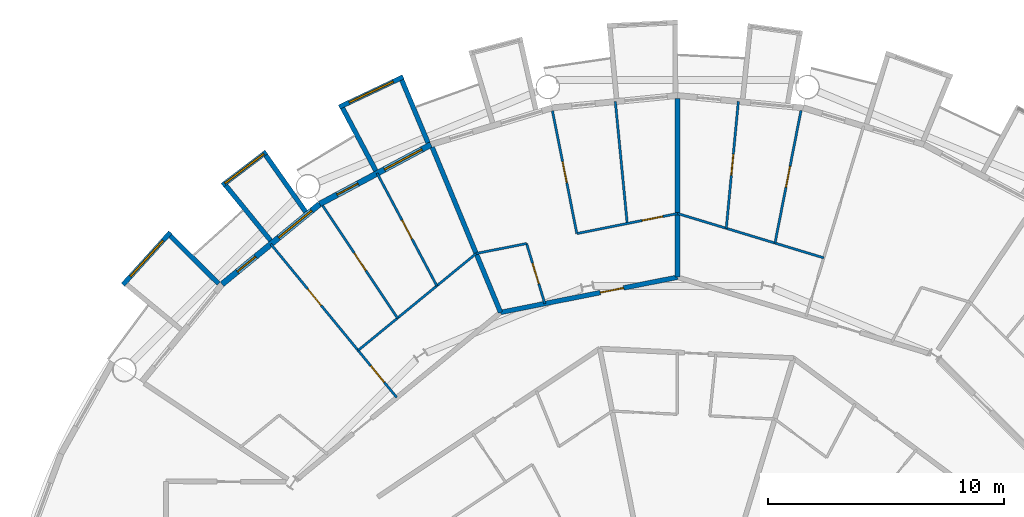
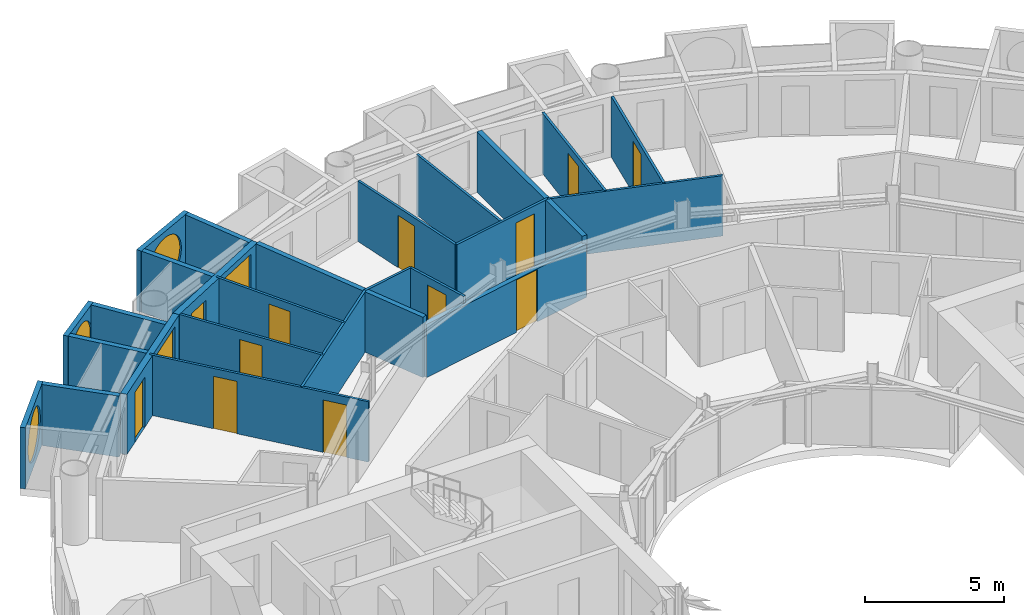
# One storey, part 19 of 25: 25 walls, 12 doors, 5 windows, 17 openings.
"""IFC4 building model written with IfcOpenShell, lengths in metres."""

from ifc_helpers import new_model, si_unit, direction, frame, frame_2d, origin, place, context, subcontext, project, spatial, rectangle, circle, extrude, material, layer, layer_set, type_object, element, fill, save


model = new_model("IFC4")

# Units and contexts
model_context = context("Model", 3, precision=1e-05, world=origin(), true_north=direction((0.0, 1.0)))
body_context = subcontext(model_context, "Body", "Model", "MODEL_VIEW")
ifc_project = project(units=[si_unit("LENGTHUNIT", "METRE"), si_unit("AREAUNIT", "SQUARE_METRE"), si_unit("VOLUMEUNIT", "CUBIC_METRE"), si_unit("PLANEANGLEUNIT", "RADIAN"), si_unit("MASSUNIT", "GRAM", prefix="KILO")], contexts=[model_context])

# Site, building, storey
site_placement = place(None, origin())
site = spatial("IfcSite", under=ifc_project, at=site_placement, CompositionType="ELEMENT")
building_placement = place(site_placement, origin())
building = spatial("IfcBuilding", under=site, at=building_placement, Name="Maasbend Ring Residences", CompositionType="ELEMENT")
storey_placement = place(building_placement, frame((0.0, 0.0, 94.10009765625)))
storey = spatial("IfcBuildingStorey", under=building, at=storey_placement, Name="L27", CompositionType="ELEMENT", Elevation=94.10009765625)

# Wall, opening, door
ifc_material_1 = material(Name="Concrete C30/37", Category="concrete")
ifc_layer_1 = layer(ifc_material_1, 0.199951171875)
ifc_layer_set_1 = layer_set([ifc_layer_1], Name="Concrete C30/37")
wall_type_1 = type_object("IfcWallType", Name="CORRIDOR WALL 200 CONCRETE", PredefinedType="PARTITIONING", material=ifc_layer_set_1)
wall_1_placement = place(storey_placement, frame((-7.5009765625, 18.10791015625, 0.0), z_axis=(0.0, 0.0, 1.0), x_axis=(0.980791233058, 0.195060393611, 0.0)))
wall_1 = element("IfcWall", 1, at=wall_1_placement, inside=storey, type_object=wall_type_1, Name="U-L27-w100", PredefinedType="PARTITIONING", context=body_context, shape_type="SweptSolid", body=[
    extrude(rectangle(XDim=7.64990234375, YDim=0.199951171875, at=frame_2d((3.824951171875, 0.0))), origin(), (0.0, 0.0, 1.0), 2.329833984375),
])
opening_1_placement = place(wall_1_placement, frame((4.31298828125, 0.0, 0.0)))
opening_1 = element("IfcOpeningElement", 2, at=opening_1_placement, cuts=wall_1, Name="Opening D-2711", PredefinedType="OPENING", context=body_context, shape_type="SweptSolid", body=[
    extrude(rectangle(XDim=1.0, YDim=2.300048828125, at=frame_2d((0.5, 1.14990234375))), frame((0.0, 0.10986328125, 0.0), z_axis=(0.0, -1.0, 0.0), x_axis=(1.0, 0.0, 0.0)), (0.0, 0.0, 1.0), 0.219970703125),
])
ifc_material_2 = material(Name="Timber, fire-rated, painted", Category="wood")
door_type_1 = type_object("IfcDoorType", Name="FLAT ENTRANCE DOOR 1000 X 2300 FIRE-RATED", OperationType="NOTDEFINED", PredefinedType="DOOR", material=ifc_material_2)
door_1_placement = place(opening_1_placement, origin())
door_1 = element("IfcDoor", 3, at=door_1_placement, inside=storey, type_object=door_type_1, Name="D-2711", OperationType="SINGLE_SWING_RIGHT", OverallHeight=2.300048828125, OverallWidth=1.0, PredefinedType="DOOR", context=body_context, shape_type="SweptSolid", body=[
    extrude(rectangle(XDim=1.0, YDim=2.300048828125, at=frame_2d((0.5, 1.14990234375))), frame((0.0, 0.02490234375, 0.0), z_axis=(0.0, -1.0, 0.0), x_axis=(1.0, 0.0, 0.0)), (0.0, 0.0, 1.0), 0.050048828125),
])
fill(opening_1, door_1)

# Wall, opening, window
ifc_material_3 = material(Name="Pale anodised aluminium panel", Category="aluminium")
ifc_layer_2 = layer(ifc_material_3, 0.199951171875)
ifc_layer_set_2 = layer_set([ifc_layer_2], Name="EW-BOX")
wall_type_2 = type_object("IfcWallType", Name="EW-BOX", PredefinedType="SOLIDWALL", material=ifc_layer_set_2)
wall_2_placement = place(storey_placement, frame((-11.62890625, 28.087890625, -0.030029296875), z_axis=(0.0, 0.0, 1.0), x_axis=(-0.904000060331, -0.427532327342, 0.0)))
wall_2 = element("IfcWall", 4, at=wall_2_placement, inside=storey, type_object=wall_type_2, Name="Box front N15", PredefinedType="SOLIDWALL", context=body_context, shape_type="SweptSolid", body=[
    extrude(rectangle(XDim=2.993408203125, YDim=0.199951171875, at=frame_2d((1.49658203125, 0.0))), origin(), (0.0, 0.0, 1.0), 2.679931640625),
])
opening_2_placement = place(wall_2_placement, frame((0.45654296875, 0.0, 0.330078125)))
opening_2 = element("IfcOpeningElement", 5, at=opening_2_placement, cuts=wall_2, Name="Opening W-RD", PredefinedType="OPENING", context=body_context, shape_type="SweptSolid", body=[
    extrude(circle(Radius=1.0400390625, at=frame_2d((1.0400390625, 1.0400390625))), frame((0.0, 0.10986328125, 0.0), z_axis=(0.0, -1.0, 0.0), x_axis=(1.0, 0.0, 0.0)), (0.0, 0.0, 1.0), 0.219970703125),
])
ifc_material_4 = material(Name="Aluminium and clear glass", Category="aluminium")
window_type_1 = type_object("IfcWindowType", Name="W-RD", PartitioningType="SINGLE_PANEL", PredefinedType="WINDOW", material=ifc_material_4)
window_1_placement = place(opening_2_placement, origin())
window_1 = element("IfcWindow", 6, at=window_1_placement, inside=storey, type_object=window_type_1, Name="Round window N15", OverallHeight=2.080078125, OverallWidth=2.080078125, PartitioningType="SINGLE_PANEL", PredefinedType="WINDOW", context=body_context, shape_type="SweptSolid", body=[
    extrude(circle(Radius=1.0400390625, at=frame_2d((1.0400390625, 1.0400390625))), frame((0.0, 0.030029296875, 0.0), z_axis=(0.0, -1.0, 0.0), x_axis=(1.0, 0.0, 0.0)), (0.0, 0.0, 1.0), 0.06005859375),
])
fill(opening_2, window_1)

# Walls
wall_3_placement = place(storey_placement, frame((-10.574951171875, 25.294921875, -0.030029296875), z_axis=(0.0, 0.0, 1.0), x_axis=(-0.385697364644, 0.922625353492, 0.0)))
element("IfcWall", 7, at=wall_3_placement, inside=storey, type_object=wall_type_2, Name="Box side wall N15 left", PredefinedType="SOLIDWALL", context=body_context, shape_type="SweptSolid", body=[
    extrude(rectangle(XDim=2.88330078125, YDim=0.199951171875, at=frame_2d((1.441650390625, 0.0))), origin(), (0.0, 0.0, 1.0), 2.679931640625),
])
wall_4_placement = place(storey_placement, frame((-12.787109375, 24.113037109375, -0.030029296875), z_axis=(0.0, 0.0, 1.0), x_axis=(-0.468365282436, 0.883534924159, 0.0)))
element("IfcWall", 8, at=wall_4_placement, inside=storey, type_object=wall_type_2, Name="Box side wall N15 right", PredefinedType="SOLIDWALL", context=body_context, shape_type="SweptSolid", body=[
    extrude(rectangle(XDim=3.006103515625, YDim=0.199951171875, at=frame_2d((1.5029296875, 0.0))), origin(), (0.0, 0.0, 1.0), 2.679931640625),
])

# Wall, opening, window
wall_5_placement = place(storey_placement, frame((-17.427001953125, 24.908935546875, -0.030029296875), z_axis=(0.0, 0.0, 1.0), x_axis=(-0.796842165306, -0.60418752353, 0.0)))
wall_5 = element("IfcWall", 9, at=wall_5_placement, inside=storey, type_object=wall_type_2, Name="Box front N17", PredefinedType="SOLIDWALL", context=body_context, shape_type="SweptSolid", body=[
    extrude(rectangle(XDim=2.3369140625, YDim=0.199951171875, at=frame_2d((1.16845703125, 0.0))), origin(), (0.0, 0.0, 1.0), 2.679931640625),
])
opening_3_placement = place(wall_5_placement, frame((0.128173828125, 0.0, 0.330078125)))
opening_3 = element("IfcOpeningElement", 10, at=opening_3_placement, cuts=wall_5, Name="Opening W-RD", PredefinedType="OPENING", context=body_context, shape_type="SweptSolid", body=[
    extrude(circle(Radius=1.0400390625, at=frame_2d((1.0400390625, 1.0400390625))), frame((0.0, 0.10986328125, 0.0), z_axis=(0.0, -1.0, 0.0), x_axis=(1.0, 0.0, 0.0)), (0.0, 0.0, 1.0), 0.219970703125),
])
window_2_placement = place(opening_3_placement, origin())
window_2 = element("IfcWindow", 11, at=window_2_placement, inside=storey, type_object=window_type_1, Name="Round window N17", OverallHeight=2.080078125, OverallWidth=2.080078125, PartitioningType="SINGLE_PANEL", PredefinedType="WINDOW", context=body_context, shape_type="SweptSolid", body=[
    extrude(circle(Radius=1.0400390625, at=frame_2d((1.0400390625, 1.0400390625))), frame((0.0, 0.030029296875, 0.0), z_axis=(0.0, -1.0, 0.0), x_axis=(1.0, 0.0, 0.0)), (0.0, 0.0, 1.0), 0.06005859375),
])
fill(opening_3, window_2)

# Walls
wall_6_placement = place(storey_placement, frame((-15.764892578125, 22.3701171875, -0.030029296875), z_axis=(0.0, 0.0, 1.0), x_axis=(-0.576274612209, 0.817256123454, 0.0)))
element("IfcWall", 12, at=wall_6_placement, inside=storey, type_object=wall_type_2, Name="Box side wall N17 left", PredefinedType="SOLIDWALL", context=body_context, shape_type="SweptSolid", body=[
    extrude(rectangle(XDim=2.932861328125, YDim=0.199951171875, at=frame_2d((1.46630859375, 0.0))), origin(), (0.0, 0.0, 1.0), 2.679931640625),
])
wall_7_placement = place(storey_placement, frame((-17.24609375, 21.155029296875, -0.030029296875), z_axis=(0.0, 0.0, 1.0), x_axis=(-0.631741648902, 0.775179004516, 0.0)))
element("IfcWall", 13, at=wall_7_placement, inside=storey, type_object=wall_type_2, Name="Box side wall N17 right", PredefinedType="SOLIDWALL", context=body_context, shape_type="SweptSolid", body=[
    extrude(rectangle(XDim=3.005859375, YDim=0.199951171875, at=frame_2d((1.5029296875, 0.0))), origin(), (0.0, 0.0, 1.0), 2.679931640625),
])

# Wall, opening, window
wall_8_placement = place(storey_placement, frame((-21.492919921875, 21.5, -0.030029296875), z_axis=(0.0, 0.0, 1.0), x_axis=(-0.671506829416, -0.740998365753, 0.0)))
wall_8 = element("IfcWall", 14, at=wall_8_placement, inside=storey, type_object=wall_type_2, Name="Box front N19", PredefinedType="SOLIDWALL", context=body_context, shape_type="SweptSolid", body=[
    extrude(rectangle(XDim=2.9931640625, YDim=0.199951171875, at=frame_2d((1.49658203125, 0.0))), origin(), (0.0, 0.0, 1.0), 2.679931640625),
])
opening_4_placement = place(wall_8_placement, frame((0.45654296875, 0.0, 0.330078125)))
opening_4 = element("IfcOpeningElement", 15, at=opening_4_placement, cuts=wall_8, Name="Opening W-RD", PredefinedType="OPENING", context=body_context, shape_type="SweptSolid", body=[
    extrude(circle(Radius=1.0400390625, at=frame_2d((1.0400390625, 1.0400390625))), frame((0.0, 0.10986328125, 0.0), z_axis=(0.0, -1.0, 0.0), x_axis=(1.0, 0.0, 0.0)), (0.0, 0.0, 1.0), 0.219970703125),
])
window_3_placement = place(opening_4_placement, origin())
window_3 = element("IfcWindow", 16, at=window_3_placement, inside=storey, type_object=window_type_1, Name="Round window N19", OverallHeight=2.080078125, OverallWidth=2.080078125, PartitioningType="SINGLE_PANEL", PredefinedType="WINDOW", context=body_context, shape_type="SweptSolid", body=[
    extrude(circle(Radius=1.0400390625, at=frame_2d((1.0400390625, 1.0400390625))), frame((0.0, 0.030029296875, 0.0), z_axis=(0.0, -1.0, 0.0), x_axis=(1.0, 0.0, 0.0)), (0.0, 0.0, 1.0), 0.06005859375),
])
fill(opening_4, window_3)

# Wall
wall_9_placement = place(storey_placement, frame((-19.449951171875, 19.322998046875, -0.030029296875), z_axis=(0.0, 0.0, 1.0), x_axis=(-0.709727076896, 0.704476739375, 0.0)))
element("IfcWall", 17, at=wall_9_placement, inside=storey, type_object=wall_type_2, Name="Box side wall N19 left", PredefinedType="SOLIDWALL", context=body_context, shape_type="SweptSolid", body=[
    extrude(rectangle(XDim=2.883056640625, YDim=0.199951171875, at=frame_2d((1.44140625, 0.0))), origin(), (0.0, 0.0, 1.0), 2.679931640625),
])

# Wall, openings, door, window
ifc_material_5 = material(Name="Aluminium clad insulated panel", Category="aluminium")
ifc_layer_3 = layer(ifc_material_5, 0.25)
ifc_layer_set_3 = layer_set([ifc_layer_3], Name="EW-GL")
wall_type_3 = type_object("IfcWallType", Name="EW-GL", PredefinedType="SOLIDWALL", material=ifc_layer_set_3)
wall_10_placement = place(storey_placement, frame((-10.447021484375, 25.221923828125, 0.0), z_axis=(0.0, 0.0, 1.0), x_axis=(-0.881915646801, -0.471407246368, 0.0)))
wall_10 = element("IfcWall", 18, at=wall_10_placement, inside=storey, type_object=wall_type_3, Name="External wall N08", PredefinedType="SOLIDWALL", context=body_context, shape_type="SweptSolid", body=[
    extrude(rectangle(XDim=5.35205078125, YDim=0.25, at=frame_2d((2.676025390625, 0.0))), origin(), (0.0, 0.0, 1.0), 2.64990234375),
])
opening_5_placement = place(wall_10_placement, frame((0.441162109375, 0.0, 0.300048828125)))
opening_5 = element("IfcOpeningElement", 19, at=opening_5_placement, cuts=wall_10, Name="Opening W-BX", PredefinedType="OPENING", context=body_context, shape_type="SweptSolid", body=[
    extrude(rectangle(XDim=1.800048828125, YDim=2.10009765625, at=frame_2d((0.89990234375, 1.050048828125))), frame((0.0, 0.135009765625, 0.0), z_axis=(0.0, -1.0, 0.0), x_axis=(1.0, 0.0, 0.0)), (0.0, 0.0, 1.0), 0.27001953125),
])
opening_6_placement = place(wall_10_placement, frame((3.510498046875, 0.0, 0.0)))
opening_6 = element("IfcOpeningElement", 20, at=opening_6_placement, cuts=wall_10, Name="Opening D-LG", PredefinedType="OPENING", context=body_context, shape_type="SweptSolid", body=[
    extrude(rectangle(XDim=1.0, YDim=2.199951171875, at=frame_2d((0.5, 1.10009765625))), frame((0.0, 0.135009765625, 0.0), z_axis=(0.0, -1.0, 0.0), x_axis=(1.0, 0.0, 0.0)), (0.0, 0.0, 1.0), 0.27001953125),
])
ifc_material_6 = material(Name="Aluminium and clear glass", Category="aluminium")
door_type_2 = type_object("IfcDoorType", Name="D-LG", OperationType="SINGLE_SWING_LEFT", PredefinedType="DOOR", material=ifc_material_6)
door_2_placement = place(opening_6_placement, origin())
door_2 = element("IfcDoor", 21, at=door_2_placement, inside=storey, type_object=door_type_2, Name="Loggia door N16", OperationType="SINGLE_SWING_LEFT", OverallHeight=2.199951171875, OverallWidth=1.0, PredefinedType="DOOR", context=body_context, shape_type="SweptSolid", body=[
    extrude(rectangle(XDim=1.0, YDim=2.199951171875, at=frame_2d((0.5, 1.10009765625))), frame((0.0, 0.02490234375, 0.0), z_axis=(0.0, -1.0, 0.0), x_axis=(1.0, 0.0, 0.0)), (0.0, 0.0, 1.0), 0.050048828125),
])
fill(opening_6, door_2)
ifc_material_7 = material(Name="Aluminium and clear glass", Category="aluminium")
window_type_2 = type_object("IfcWindowType", Name="W-BX", PartitioningType="DOUBLE_PANEL_VERTICAL", PredefinedType="WINDOW", material=ifc_material_7)
window_4_placement = place(opening_5_placement, origin())
window_4 = element("IfcWindow", 22, at=window_4_placement, inside=storey, type_object=window_type_2, Name="Window N15 room to box", OverallHeight=2.10009765625, OverallWidth=1.800048828125, PartitioningType="SINGLE_PANEL", PredefinedType="WINDOW", context=body_context, shape_type="SweptSolid", body=[
    extrude(rectangle(XDim=1.800048828125, YDim=2.10009765625, at=frame_2d((0.89990234375, 1.050048828125))), frame((0.0, 0.030029296875, 0.0), z_axis=(0.0, -1.0, 0.0), x_axis=(1.0, 0.0, 0.0)), (0.0, 0.0, 1.0), 0.06005859375),
])
fill(opening_5, window_4)

wall_11_placement = place(storey_placement, frame((-15.1669921875, 22.698974609375, 0.0), z_axis=(0.0, 0.0, 1.0), x_axis=(-0.773019449054, -0.634382322723, 0.0)))
wall_11 = element("IfcWall", 23, at=wall_11_placement, inside=storey, type_object=wall_type_3, Name="External wall N09", PredefinedType="SOLIDWALL", context=body_context, shape_type="SweptSolid", body=[
    extrude(rectangle(XDim=5.351806640625, YDim=0.25, at=frame_2d((2.67578125, 0.0))), origin(), (0.0, 0.0, 1.0), 2.64990234375),
])
opening_7_placement = place(wall_11_placement, frame((0.441162109375, 0.0, 0.300048828125)))
opening_7 = element("IfcOpeningElement", 24, at=opening_7_placement, cuts=wall_11, Name="Opening W-BX", PredefinedType="OPENING", context=body_context, shape_type="SweptSolid", body=[
    extrude(rectangle(XDim=1.800048828125, YDim=2.10009765625, at=frame_2d((0.89990234375, 1.050048828125))), frame((0.0, 0.135009765625, 0.0), z_axis=(0.0, -1.0, 0.0), x_axis=(1.0, 0.0, 0.0)), (0.0, 0.0, 1.0), 0.27001953125),
])
opening_8_placement = place(wall_11_placement, frame((3.510498046875, 0.0, 0.0)))
opening_8 = element("IfcOpeningElement", 25, at=opening_8_placement, cuts=wall_11, Name="Opening D-LG", PredefinedType="OPENING", context=body_context, shape_type="SweptSolid", body=[
    extrude(rectangle(XDim=1.0, YDim=2.199951171875, at=frame_2d((0.5, 1.10009765625))), frame((0.0, 0.135009765625, 0.0), z_axis=(0.0, -1.0, 0.0), x_axis=(1.0, 0.0, 0.0)), (0.0, 0.0, 1.0), 0.27001953125),
])
door_3_placement = place(opening_8_placement, origin())
door_3 = element("IfcDoor", 26, at=door_3_placement, inside=storey, type_object=door_type_2, Name="Loggia door N18", OperationType="SINGLE_SWING_LEFT", OverallHeight=2.199951171875, OverallWidth=1.0, PredefinedType="DOOR", context=body_context, shape_type="SweptSolid", body=[
    extrude(rectangle(XDim=1.0, YDim=2.199951171875, at=frame_2d((0.5, 1.10009765625))), frame((0.0, 0.02490234375, 0.0), z_axis=(0.0, -1.0, 0.0), x_axis=(1.0, 0.0, 0.0)), (0.0, 0.0, 1.0), 0.050048828125),
])
fill(opening_8, door_3)
window_5_placement = place(opening_7_placement, origin())
window_5 = element("IfcWindow", 27, at=window_5_placement, inside=storey, type_object=window_type_2, Name="Window N17 room to box", OverallHeight=2.10009765625, OverallWidth=1.800048828125, PartitioningType="SINGLE_PANEL", PredefinedType="WINDOW", context=body_context, shape_type="SweptSolid", body=[
    extrude(rectangle(XDim=1.800048828125, YDim=2.10009765625, at=frame_2d((0.89990234375, 1.050048828125))), frame((0.0, 0.030029296875, 0.0), z_axis=(0.0, -1.0, 0.0), x_axis=(1.0, 0.0, 0.0)), (0.0, 0.0, 1.0), 0.06005859375),
])
fill(opening_7, window_5)

# Wall, openings, doors
ifc_material_8 = material(Name="Gypsum board on steel studs", Category="steel")
ifc_layer_4 = layer(ifc_material_8, 0.10009765625)
ifc_layer_set_4 = layer_set([ifc_layer_4], Name="PARTITION 100 GYPSUM")
wall_type_4 = type_object("IfcWallType", Name="PARTITION 100 GYPSUM", PredefinedType="PARTITIONING", material=ifc_layer_set_4)
wall_12_placement = place(storey_placement, frame((-17.239990234375, 21.007080078125, 0.0), z_axis=(0.0, 0.0, 1.0), x_axis=(0.634396151441, -0.77300810024, 0.0)))
wall_12 = element("IfcWall", 28, at=wall_12_placement, inside=storey, type_object=wall_type_4, Name="U-L27-w033", PredefinedType="PARTITIONING", context=body_context, shape_type="SweptSolid", body=[
    extrude(rectangle(XDim=8.419189453125, YDim=0.10009765625, at=frame_2d((4.20947265625, 0.0))), origin(), (0.0, 0.0, 1.0), 2.64990234375),
])
opening_9_placement = place(wall_12_placement, frame((6.678955078125, 0.0, 0.0)))
opening_9 = element("IfcOpeningElement", 29, at=opening_9_placement, cuts=wall_12, Name="Opening D-2717", PredefinedType="OPENING", context=body_context, shape_type="SweptSolid", body=[
    extrude(rectangle(XDim=0.89990234375, YDim=2.300048828125, at=frame_2d((0.449951171875, 1.14990234375))), frame((0.0, 0.06005859375, 0.0), z_axis=(0.0, -1.0, 0.0), x_axis=(1.0, 0.0, 0.0)), (0.0, 0.0, 1.0), 0.1201171875),
])
opening_10_placement = place(wall_12_placement, frame((2.468017578125, 0.0, 0.0)))
opening_10 = element("IfcOpeningElement", 30, at=opening_10_placement, cuts=wall_12, Name="Opening D-2718", PredefinedType="OPENING", context=body_context, shape_type="SweptSolid", body=[
    extrude(rectangle(XDim=0.89990234375, YDim=2.300048828125, at=frame_2d((0.449951171875, 1.14990234375))), frame((0.0, 0.06005859375, 0.0), z_axis=(0.0, -1.0, 0.0), x_axis=(1.0, 0.0, 0.0)), (0.0, 0.0, 1.0), 0.1201171875),
])
ifc_material_9 = material(Name="Timber, painted", Category="wood")
door_type_3 = type_object("IfcDoorType", Name="INTERNAL DOOR 900 X 2300", OperationType="NOTDEFINED", PredefinedType="DOOR", material=ifc_material_9)
door_4_placement = place(opening_9_placement, origin())
door_4 = element("IfcDoor", 31, at=door_4_placement, inside=storey, type_object=door_type_3, Name="D-2717", OperationType="SINGLE_SWING_RIGHT", OverallHeight=2.300048828125, OverallWidth=0.89990234375, PredefinedType="DOOR", context=body_context, shape_type="SweptSolid", body=[
    extrude(rectangle(XDim=0.89990234375, YDim=2.300048828125, at=frame_2d((0.449951171875, 1.14990234375))), frame((0.0, 0.02490234375, 0.0), z_axis=(0.0, -1.0, 0.0), x_axis=(1.0, 0.0, 0.0)), (0.0, 0.0, 1.0), 0.050048828125),
])
fill(opening_9, door_4)
door_5_placement = place(opening_10_placement, origin())
door_5 = element("IfcDoor", 32, at=door_5_placement, inside=storey, type_object=door_type_3, Name="D-2718", OperationType="SINGLE_SWING_LEFT", OverallHeight=2.300048828125, OverallWidth=0.89990234375, PredefinedType="DOOR", context=body_context, shape_type="SweptSolid", body=[
    extrude(rectangle(XDim=0.89990234375, YDim=2.300048828125, at=frame_2d((0.449951171875, 1.14990234375))), frame((0.0, 0.02490234375, 0.0), z_axis=(0.0, -1.0, 0.0), x_axis=(1.0, 0.0, 0.0)), (0.0, 0.0, 1.0), 0.050048828125),
])
fill(opening_10, door_5)

# Wall, opening, door
wall_13_placement = place(storey_placement, frame((-15.0390625, 22.634033203125, 0.0), z_axis=(0.0, 0.0, 1.0), x_axis=(0.553440102418, -0.832888980018, 0.0)))
wall_13 = element("IfcWall", 33, at=wall_13_placement, inside=storey, type_object=wall_type_4, Name="U-L27-w035", PredefinedType="PARTITIONING", context=body_context, shape_type="SweptSolid", body=[
    extrude(rectangle(XDim=5.725830078125, YDim=0.10009765625, at=frame_2d((2.86279296875, 0.0))), origin(), (0.0, 0.0, 1.0), 2.64990234375),
])
opening_11_placement = place(wall_13_placement, frame((2.4130859375, 0.0, 0.0)))
opening_11 = element("IfcOpeningElement", 34, at=opening_11_placement, cuts=wall_13, Name="Opening D-2719", PredefinedType="OPENING", context=body_context, shape_type="SweptSolid", body=[
    extrude(rectangle(XDim=0.89990234375, YDim=2.300048828125, at=frame_2d((0.449951171875, 1.14990234375))), frame((0.0, 0.06005859375, 0.0), z_axis=(0.0, -1.0, 0.0), x_axis=(1.0, 0.0, 0.0)), (0.0, 0.0, 1.0), 0.1201171875),
])
door_6_placement = place(opening_11_placement, origin())
door_6 = element("IfcDoor", 35, at=door_6_placement, inside=storey, type_object=door_type_3, Name="D-2719", OperationType="SINGLE_SWING_RIGHT", OverallHeight=2.300048828125, OverallWidth=0.89990234375, PredefinedType="DOOR", context=body_context, shape_type="SweptSolid", body=[
    extrude(rectangle(XDim=0.89990234375, YDim=2.300048828125, at=frame_2d((0.449951171875, 1.14990234375))), frame((0.0, 0.02490234375, 0.0), z_axis=(0.0, -1.0, 0.0), x_axis=(1.0, 0.0, 0.0)), (0.0, 0.0, 1.0), 0.050048828125),
])
fill(opening_11, door_6)

wall_14_placement = place(storey_placement, frame((-12.73388671875, 24.007080078125, 0.0), z_axis=(0.0, 0.0, 1.0), x_axis=(0.468610030042, -0.883405139075, 0.0)))
wall_14 = element("IfcWall", 36, at=wall_14_placement, inside=storey, type_object=wall_type_4, Name="U-L27-w036", PredefinedType="PARTITIONING", context=body_context, shape_type="SweptSolid", body=[
    extrude(rectangle(XDim=5.403076171875, YDim=0.10009765625, at=frame_2d((2.70166015625, 0.0))), origin(), (0.0, 0.0, 1.0), 2.64990234375),
])
opening_12_placement = place(wall_14_placement, frame((2.251953125, 0.0, 0.0)))
opening_12 = element("IfcOpeningElement", 37, at=opening_12_placement, cuts=wall_14, Name="Opening D-2720", PredefinedType="OPENING", context=body_context, shape_type="SweptSolid", body=[
    extrude(rectangle(XDim=0.89990234375, YDim=2.300048828125, at=frame_2d((0.449951171875, 1.14990234375))), frame((0.0, 0.06005859375, 0.0), z_axis=(0.0, -1.0, 0.0), x_axis=(1.0, 0.0, 0.0)), (0.0, 0.0, 1.0), 0.1201171875),
])
door_7_placement = place(opening_12_placement, origin())
door_7 = element("IfcDoor", 38, at=door_7_placement, inside=storey, type_object=door_type_3, Name="D-2720", OperationType="SINGLE_SWING_LEFT", OverallHeight=2.300048828125, OverallWidth=0.89990234375, PredefinedType="DOOR", context=body_context, shape_type="SweptSolid", body=[
    extrude(rectangle(XDim=0.89990234375, YDim=2.300048828125, at=frame_2d((0.449951171875, 1.14990234375))), frame((0.0, 0.02490234375, 0.0), z_axis=(0.0, -1.0, 0.0), x_axis=(1.0, 0.0, 0.0)), (0.0, 0.0, 1.0), 0.050048828125),
])
fill(opening_12, door_7)

wall_15_placement = place(storey_placement, frame((-6.39990234375, 21.027099609375, 0.0), z_axis=(0.0, 0.0, 1.0), x_axis=(0.291157965538, -0.956674991365, 0.0)))
wall_15 = element("IfcWall", 39, at=wall_15_placement, inside=storey, type_object=wall_type_4, Name="U-L27-w043", PredefinedType="PARTITIONING", context=body_context, shape_type="SweptSolid", body=[
    extrude(rectangle(XDim=2.661376953125, YDim=0.10009765625, at=frame_2d((1.33056640625, 0.0))), origin(), (0.0, 0.0, 1.0), 2.64990234375),
])
opening_13_placement = place(wall_15_placement, frame((0.881103515625, 0.0, 0.0)))
opening_13 = element("IfcOpeningElement", 40, at=opening_13_placement, cuts=wall_15, Name="Opening D-2712", PredefinedType="OPENING", context=body_context, shape_type="SweptSolid", body=[
    extrude(rectangle(XDim=0.89990234375, YDim=2.300048828125, at=frame_2d((0.449951171875, 1.14990234375))), frame((0.0, 0.06005859375, 0.0), z_axis=(0.0, -1.0, 0.0), x_axis=(1.0, 0.0, 0.0)), (0.0, 0.0, 1.0), 0.1201171875),
])
door_8_placement = place(opening_13_placement, origin())
door_8 = element("IfcDoor", 41, at=door_8_placement, inside=storey, type_object=door_type_3, Name="D-2712", OperationType="SINGLE_SWING_RIGHT", OverallHeight=2.300048828125, OverallWidth=0.89990234375, PredefinedType="DOOR", context=body_context, shape_type="SweptSolid", body=[
    extrude(rectangle(XDim=0.89990234375, YDim=2.300048828125, at=frame_2d((0.449951171875, 1.14990234375))), frame((0.0, 0.02490234375, 0.0), z_axis=(0.0, -1.0, 0.0), x_axis=(1.0, 0.0, 0.0)), (0.0, 0.0, 1.0), 0.050048828125),
])
fill(opening_13, door_8)

wall_16_placement = place(storey_placement, frame((-5.302001953125, 26.653076171875, 0.0), z_axis=(0.0, 0.0, 1.0), x_axis=(0.195115793364, -0.980780213493, 0.0)))
wall_16 = element("IfcWall", 42, at=wall_16_placement, inside=storey, type_object=wall_type_4, Name="U-L27-w049", PredefinedType="PARTITIONING", context=body_context, shape_type="SweptSolid", body=[
    extrude(rectangle(XDim=5.30419921875, YDim=0.10009765625, at=frame_2d((2.652099609375, 0.0))), origin(), (0.0, 0.0, 1.0), 2.64990234375),
])
opening_14_placement = place(wall_16_placement, frame((2.201904296875, 0.0, 0.0)))
opening_14 = element("IfcOpeningElement", 43, at=opening_14_placement, cuts=wall_16, Name="Opening D-2713", PredefinedType="OPENING", context=body_context, shape_type="SweptSolid", body=[
    extrude(rectangle(XDim=0.89990234375, YDim=2.300048828125, at=frame_2d((0.449951171875, 1.14990234375))), frame((0.0, 0.06005859375, 0.0), z_axis=(0.0, -1.0, 0.0), x_axis=(1.0, 0.0, 0.0)), (0.0, 0.0, 1.0), 0.1201171875),
])
door_9_placement = place(opening_14_placement, origin())
door_9 = element("IfcDoor", 44, at=door_9_placement, inside=storey, type_object=door_type_3, Name="D-2713", OperationType="SINGLE_SWING_LEFT", OverallHeight=2.300048828125, OverallWidth=0.89990234375, PredefinedType="DOOR", context=body_context, shape_type="SweptSolid", body=[
    extrude(rectangle(XDim=0.89990234375, YDim=2.300048828125, at=frame_2d((0.449951171875, 1.14990234375))), frame((0.0, 0.02490234375, 0.0), z_axis=(0.0, -1.0, 0.0), x_axis=(1.0, 0.0, 0.0)), (0.0, 0.0, 1.0), 0.050048828125),
])
fill(opening_14, door_9)

# Wall
wall_17_placement = place(storey_placement, frame((-2.637939453125, 27.047119140625, 0.0), z_axis=(0.0, 0.0, 1.0), x_axis=(0.097172620677, -0.99526754282, 0.0)))
element("IfcWall", 45, at=wall_17_placement, inside=storey, type_object=wall_type_4, Name="U-L27-w052", PredefinedType="PARTITIONING", context=body_context, shape_type="SweptSolid", body=[
    extrude(rectangle(XDim=5.19580078125, YDim=0.10009765625, at=frame_2d((2.597900390625, 0.0))), origin(), (0.0, 0.0, 1.0), 2.64990234375),
])

# Wall, opening, door
wall_18_placement = place(storey_placement, frame((2.06494140625, 21.674072265625, 0.0), z_axis=(0.0, 0.0, 1.0), x_axis=(0.094751520537, 0.99550095397, 0.0)))
wall_18 = element("IfcWall", 46, at=wall_18_placement, inside=storey, type_object=wall_type_4, Name="U-L27-w062", PredefinedType="PARTITIONING", context=body_context, shape_type="SweptSolid", body=[
    extrude(rectangle(XDim=5.4033203125, YDim=0.10009765625, at=frame_2d((2.70166015625, 0.0))), origin(), (0.0, 0.0, 1.0), 2.64990234375),
])
opening_15_placement = place(wall_18_placement, frame((2.251953125, 0.0, 0.0)))
opening_15 = element("IfcOpeningElement", 47, at=opening_15_placement, cuts=wall_18, Name="Opening D-2710", PredefinedType="OPENING", context=body_context, shape_type="SweptSolid", body=[
    extrude(rectangle(XDim=0.89990234375, YDim=2.300048828125, at=frame_2d((0.449951171875, 1.14990234375))), frame((0.0, 0.06005859375, 0.0), z_axis=(0.0, -1.0, 0.0), x_axis=(1.0, 0.0, 0.0)), (0.0, 0.0, 1.0), 0.1201171875),
])
door_10_placement = place(opening_15_placement, origin())
door_10 = element("IfcDoor", 48, at=door_10_placement, inside=storey, type_object=door_type_3, Name="D-2710", OperationType="SINGLE_SWING_LEFT", OverallHeight=2.300048828125, OverallWidth=0.89990234375, PredefinedType="DOOR", context=body_context, shape_type="SweptSolid", body=[
    extrude(rectangle(XDim=0.89990234375, YDim=2.300048828125, at=frame_2d((0.449951171875, 1.14990234375))), frame((0.0, 0.02490234375, 0.0), z_axis=(0.0, -1.0, 0.0), x_axis=(1.0, 0.0, 0.0)), (0.0, 0.0, 1.0), 0.050048828125),
])
fill(opening_15, door_10)

wall_19_placement = place(storey_placement, frame((4.1298828125, 21.047119140625, 0.0), z_axis=(0.0, 0.0, 1.0), x_axis=(0.192433779325, 0.981309961518, 0.0)))
wall_19 = element("IfcWall", 49, at=wall_19_placement, inside=storey, type_object=wall_type_4, Name="U-L27-w066", PredefinedType="PARTITIONING", context=body_context, shape_type="SweptSolid", body=[
    extrude(rectangle(XDim=5.726806640625, YDim=0.10009765625, at=frame_2d((2.86328125, 0.0))), origin(), (0.0, 0.0, 1.0), 2.64990234375),
])
opening_16_placement = place(wall_19_placement, frame((2.4140625, 0.0, 0.0)))
opening_16 = element("IfcOpeningElement", 50, at=opening_16_placement, cuts=wall_19, Name="Opening D-2709", PredefinedType="OPENING", context=body_context, shape_type="SweptSolid", body=[
    extrude(rectangle(XDim=0.89990234375, YDim=2.300048828125, at=frame_2d((0.449951171875, 1.14990234375))), frame((0.0, 0.06005859375, 0.0), z_axis=(0.0, -1.0, 0.0), x_axis=(1.0, 0.0, 0.0)), (0.0, 0.0, 1.0), 0.1201171875),
])
door_11_placement = place(opening_16_placement, origin())
door_11 = element("IfcDoor", 51, at=door_11_placement, inside=storey, type_object=door_type_3, Name="D-2709", OperationType="SINGLE_SWING_RIGHT", OverallHeight=2.300048828125, OverallWidth=0.89990234375, PredefinedType="DOOR", context=body_context, shape_type="SweptSolid", body=[
    extrude(rectangle(XDim=0.89990234375, YDim=2.300048828125, at=frame_2d((0.449951171875, 1.14990234375))), frame((0.0, 0.02490234375, 0.0), z_axis=(0.0, -1.0, 0.0), x_axis=(1.0, 0.0, 0.0)), (0.0, 0.0, 1.0), 0.050048828125),
])
fill(opening_16, door_11)

# Walls
wall_20_placement = place(storey_placement, frame((-13.5380859375, 16.49609375, 0.0), z_axis=(0.0, 0.0, 1.0), x_axis=(0.773000340237, 0.634405606843, 0.0)))
element("IfcWall", 52, at=wall_20_placement, inside=storey, type_object=wall_type_4, Name="U-L27-w103", PredefinedType="PARTITIONING", context=body_context, shape_type="SweptSolid", body=[
    extrude(rectangle(XDim=6.4736328125, YDim=0.10009765625, at=frame_2d((3.23681640625, 0.0))), origin(), (0.0, 0.0, 1.0), 2.64990234375),
])
wall_21_placement = place(storey_placement, frame((-0.00390625, 22.299072265625, 0.0), z_axis=(0.0, 0.0, 1.0), x_axis=(0.95699555343, -0.290102586537, 0.0)))
element("IfcWall", 53, at=wall_21_placement, inside=storey, type_object=wall_type_4, Name="U-L27-w104", PredefinedType="PARTITIONING", context=body_context, shape_type="SweptSolid", body=[
    extrude(rectangle(XDim=6.4775390625, YDim=0.10009765625, at=frame_2d((3.23876953125, 0.0))), origin(), (0.0, 0.0, 1.0), 2.64990234375),
])
wall_22_placement = place(storey_placement, frame((-8.533935546875, 20.60302734375, 0.0), z_axis=(0.0, 0.0, 1.0), x_axis=(0.980821612706, 0.194907578226, 0.0)))
element("IfcWall", 54, at=wall_22_placement, inside=storey, type_object=wall_type_4, Name="U-L27-w108", PredefinedType="PARTITIONING", context=body_context, shape_type="SweptSolid", body=[
    extrude(rectangle(XDim=2.17578125, YDim=0.10009765625, at=frame_2d((1.087890625, 0.0))), origin(), (0.0, 0.0, 1.0), 2.64990234375),
])

# Wall, opening, door
wall_23_placement = place(storey_placement, frame((-4.260986328125, 21.451904296875, 0.0), z_axis=(0.0, 0.0, 1.0), x_axis=(0.980819753929, 0.194916931799, 0.0)))
wall_23 = element("IfcWall", 55, at=wall_23_placement, inside=storey, type_object=wall_type_4, Name="U-L27-w109", PredefinedType="PARTITIONING", context=body_context, shape_type="SweptSolid", body=[
    extrude(rectangle(XDim=4.34619140625, YDim=0.10009765625, at=frame_2d((2.173095703125, 0.0))), origin(), (0.0, 0.0, 1.0), 2.64990234375),
])
opening_17_placement = place(wall_23_placement, frame((2.806884765625, 0.0, 0.0)))
opening_17 = element("IfcOpeningElement", 56, at=opening_17_placement, cuts=wall_23, Name="Opening D-2714", PredefinedType="OPENING", context=body_context, shape_type="SweptSolid", body=[
    extrude(rectangle(XDim=0.89990234375, YDim=2.300048828125, at=frame_2d((0.449951171875, 1.14990234375))), frame((0.0, 0.06005859375, 0.0), z_axis=(0.0, -1.0, 0.0), x_axis=(1.0, 0.0, 0.0)), (0.0, 0.0, 1.0), 0.1201171875),
])
door_12_placement = place(opening_17_placement, origin())
door_12 = element("IfcDoor", 57, at=door_12_placement, inside=storey, type_object=door_type_3, Name="D-2714", OperationType="SINGLE_SWING_RIGHT", OverallHeight=2.300048828125, OverallWidth=0.89990234375, PredefinedType="DOOR", context=body_context, shape_type="SweptSolid", body=[
    extrude(rectangle(XDim=0.89990234375, YDim=2.300048828125, at=frame_2d((0.449951171875, 1.14990234375))), frame((0.0, 0.02490234375, 0.0), z_axis=(0.0, -1.0, 0.0), x_axis=(1.0, 0.0, 0.0)), (0.0, 0.0, 1.0), 0.050048828125),
])
fill(opening_17, door_12)

# Walls
ifc_material_10 = material(Name="Concrete C30/37", Category="concrete")
ifc_layer_5 = layer(ifc_material_10, 0.199951171875)
ifc_layer_set_5 = layer_set([ifc_layer_5], Name="Concrete C30/37")
wall_type_5 = type_object("IfcWallType", Name="PARTY WALL 200 CONCRETE", PredefinedType="PARTITIONING", material=ifc_layer_set_5)
wall_24_placement = place(storey_placement, frame((-10.39794921875, 25.10595703125, 0.0), z_axis=(0.0, 0.0, 1.0), x_axis=(0.382490346157, -0.923959487801, 0.0)))
element("IfcWall", 58, at=wall_24_placement, inside=storey, type_object=wall_type_5, Name="U-L27-w038", PredefinedType="PARTITIONING", context=body_context, shape_type="SweptSolid", body=[
    extrude(rectangle(XDim=7.573974609375, YDim=0.199951171875, at=frame_2d((3.787109375, 0.0))), origin(), (0.0, 0.0, 1.0), 2.64990234375),
])
wall_25_placement = place(storey_placement, frame((0.0, 19.60009765625, 0.0), z_axis=(0.0, 0.0, 1.0), x_axis=(0.0, 1.0, 0.0)))
element("IfcWall", 59, at=wall_25_placement, inside=storey, type_object=wall_type_5, Name="U-L27-w058", PredefinedType="PARTITIONING", context=body_context, shape_type="SweptSolid", body=[
    extrude(rectangle(XDim=7.574951171875, YDim=0.199951171875, at=frame_2d((3.78759765625, 0.0))), origin(), (0.0, 0.0, 1.0), 2.64990234375),
])

save(model, "model.ifc")
